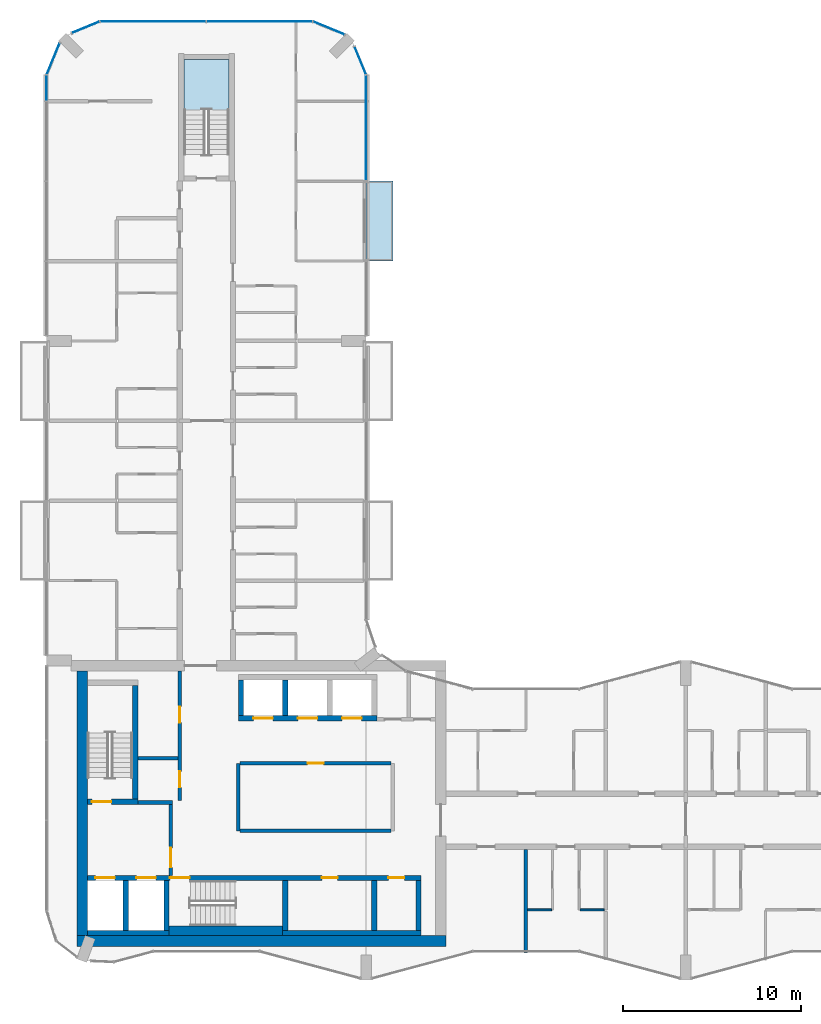
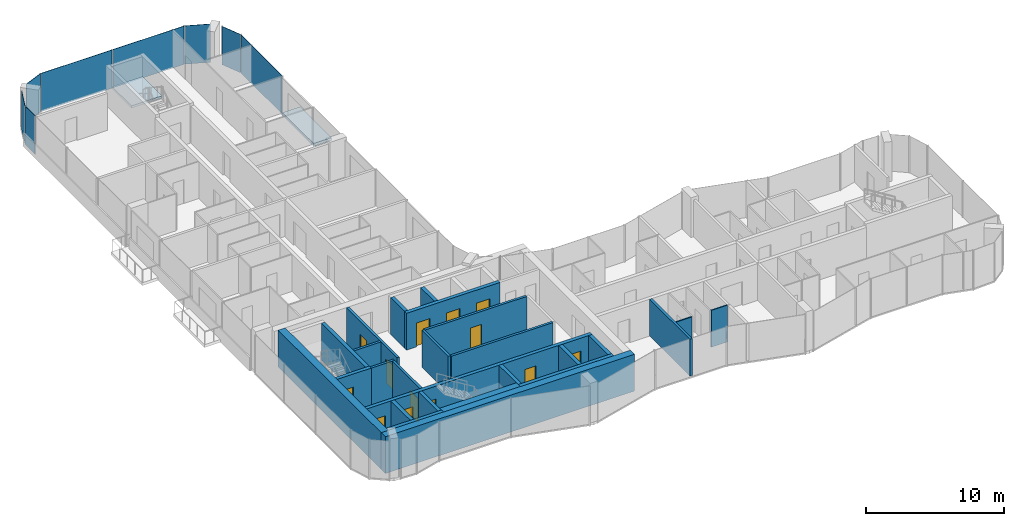
# One storey, part 9 of 17: 26 walls, 13 doors, 8 plates, 2 slabs, 13 openings, 8 elements without a shape of their own.
"""IFC4 building model written with IfcOpenShell, lengths in metres."""

from ifc_helpers import new_model, si_unit, direction, frame, frame_2d, origin, origin_2d, place, context, subcontext, project, spatial, polyline, rectangle, outline, extrude, material, layer, layer_set, type_object, element, fill, aggregate, save


model = new_model("IFC4")

# Units and contexts
model_context = context("Model", 3, precision=1e-05, world=origin(), true_north=direction((0.0, 1.0)))
body_context = subcontext(model_context, "Body", "Model", "MODEL_VIEW")
ifc_project = project(units=[si_unit("LENGTHUNIT", "METRE"), si_unit("AREAUNIT", "SQUARE_METRE"), si_unit("VOLUMEUNIT", "CUBIC_METRE"), si_unit("PLANEANGLEUNIT", "RADIAN"), si_unit("MASSUNIT", "GRAM", prefix="KILO")], contexts=[model_context])

# Site, building, storey
site_placement = place(None, origin())
site = spatial("IfcSite", under=ifc_project, at=site_placement, CompositionType="ELEMENT")
building_placement = place(site_placement, origin())
building = spatial("IfcBuilding", under=site, at=building_placement, Name="Plateau Cross Towers", CompositionType="ELEMENT")
storey_placement = place(building_placement, frame((0.0, 0.0, 146.39990234375)))
storey = spatial("IfcBuildingStorey", under=building, at=storey_placement, Name="L37", CompositionType="ELEMENT", Elevation=146.39990234375)

# Slab
ifc_material_1 = material(Name="Concrete C40/50", Category="concrete")
ifc_layer_1 = layer(ifc_material_1, 0.25)
ifc_layer_set_1 = layer_set([ifc_layer_1], Name="Concrete C40/50")
slab_type_1 = type_object("IfcSlabType", Name="Balcony slab 250", PredefinedType="FLOOR", material=ifc_layer_set_1)
slab_1_placement = place(storey_placement, frame((0.0, 0.0, -0.25)))
element("IfcSlab", 1, at=slab_1_placement, inside=storey, type_object=slab_type_1, Name="Balcony slab A-BAL-L37-05", PredefinedType="FLOOR", context=body_context, shape_type="SweptSolid", body=[
    extrude(outline(polyline([(19.5, 40.5), (19.5, 45.0), (18.0, 45.0), (18.0, 40.5), (19.5, 40.5)])), origin(), (0.0, 0.0, 1.0), 0.25),
])

# Curtain wall, plate
ifc_material_2 = material(Name="Dark low-iron glass", Category="glass")
ifc_layer_2 = layer(ifc_material_2, 0.239990234375)
ifc_layer_set_2 = layer_set([ifc_layer_2], Name="Dark low-iron glass")
curtain_wall_type = type_object("IfcCurtainWallType", Name="Curtain wall flush unitised CW-B", PredefinedType="NOTDEFINED", material=ifc_layer_set_2)
curtain_wall_1_placement = place(storey_placement, origin())
curtain_wall_1 = element("IfcCurtainWall", 2, at=curtain_wall_1_placement, inside=storey, type_object=curtain_wall_type, Name="ENV/A/L37/A180_450", PredefinedType="NOTDEFINED")
ifc_layer_3 = layer(ifc_material_2, 0.031982421875)
ifc_layer_set_3 = layer_set([ifc_layer_3], Name="Dark low-iron glass")
plate_type = type_object("IfcPlateType", Name="Glass panel 32 flush unitised", PredefinedType="CURTAIN_PANEL", material=ifc_layer_set_3)
plate_1_placement = place(storey_placement, frame((18.0, 48.0048828125, -0.1298828125), z_axis=(0.0, 0.0, 1.0), x_axis=(0.0, 1.0, 0.0)))
plate_1 = element("IfcPlate", 3, at=plate_1_placement, type_object=plate_type, Name="CW-B panel 1", PredefinedType="CURTAIN_PANEL", context=body_context, shape_type="SweptSolid", body=[
    extrude(rectangle(XDim=5.929931640625, YDim=0.031982421875, at=origin_2d()), origin(), (0.0, 0.0, 1.0), 3.3798828125),
])
aggregate(curtain_wall_1, [plate_1])

curtain_wall_2_placement = place(storey_placement, origin())
curtain_wall_2 = element("IfcCurtainWall", 4, at=curtain_wall_2_placement, inside=storey, type_object=curtain_wall_type, Name="ENV/A/L37/A180_510", PredefinedType="NOTDEFINED")
plate_2_placement = place(storey_placement, frame((17.66943359375, 51.79833984375, -0.1298828125), z_axis=(0.0, 0.0, 1.0), x_axis=(-0.382683612978, 0.923879457699, 0.0)))
plate_2 = element("IfcPlate", 5, at=plate_2_placement, type_object=plate_type, Name="CW-B panel 1", PredefinedType="CURTAIN_PANEL", context=body_context, shape_type="SweptSolid", body=[
    extrude(rectangle(XDim=1.668212890625, YDim=0.031982421875, at=origin_2d()), origin(), (0.0, 0.0, 1.0), 3.3798828125),
])
aggregate(curtain_wall_2, [plate_2])

curtain_wall_3_placement = place(storey_placement, origin())
curtain_wall_3 = element("IfcCurtainWall", 6, at=curtain_wall_3_placement, inside=storey, type_object=curtain_wall_type, Name="ENV/A/L37/A168_533", PredefinedType="NOTDEFINED")
plate_3_placement = place(storey_placement, frame((15.90283203125, 53.6259765625, -0.1298828125), z_axis=(0.0, 0.0, 1.0), x_axis=(-0.923879457699, 0.382683612978, 0.0)))
plate_3 = element("IfcPlate", 7, at=plate_3_placement, type_object=plate_type, Name="CW-B panel 1", PredefinedType="CURTAIN_PANEL", context=body_context, shape_type="SweptSolid", body=[
    extrude(rectangle(XDim=1.894775390625, YDim=0.031982421875, at=origin_2d()), origin(), (0.0, 0.0, 1.0), 3.3798828125),
])
aggregate(curtain_wall_3, [plate_3])

# Curtain wall, plates
curtain_wall_4_placement = place(storey_placement, origin())
curtain_wall_4 = element("IfcCurtainWall", 8, at=curtain_wall_4_placement, inside=storey, type_object=curtain_wall_type, Name="ENV/A/L37/A150_540", PredefinedType="NOTDEFINED")
plate_4_placement = place(storey_placement, frame((12.0, 54.0, -0.1298828125), z_axis=(0.0, 0.0, 1.0), x_axis=(-1.0, 0.0, 0.0)))
plate_4 = element("IfcPlate", 9, at=plate_4_placement, type_object=plate_type, Name="CW-B panel 1", PredefinedType="CURTAIN_PANEL", context=body_context, shape_type="SweptSolid", body=[
    extrude(rectangle(XDim=5.93994140625, YDim=0.031982421875, at=origin_2d()), origin(), (0.0, 0.0, 1.0), 3.3798828125),
])
plate_5_placement = place(storey_placement, frame((6.0, 54.0, -0.1298828125), z_axis=(0.0, 0.0, 1.0), x_axis=(-1.0, 0.0, 0.0)))
plate_5 = element("IfcPlate", 10, at=plate_5_placement, type_object=plate_type, Name="CW-B panel 2", PredefinedType="CURTAIN_PANEL", context=body_context, shape_type="SweptSolid", body=[
    extrude(rectangle(XDim=5.93994140625, YDim=0.031982421875, at=origin_2d()), origin(), (0.0, 0.0, 1.0), 3.3798828125),
])
aggregate(curtain_wall_4, [plate_4, plate_5])

# Curtain wall, plate
curtain_wall_5_placement = place(storey_placement, origin())
curtain_wall_5 = element("IfcCurtainWall", 11, at=curtain_wall_5_placement, inside=storey, type_object=curtain_wall_type, Name="ENV/A/L37/A30_540", PredefinedType="NOTDEFINED")
plate_6_placement = place(storey_placement, frame((2.20166015625, 53.66943359375, -0.1298828125), z_axis=(0.0, 0.0, 1.0), x_axis=(-0.923879457699, -0.382683612978, 0.0)))
plate_6 = element("IfcPlate", 12, at=plate_6_placement, type_object=plate_type, Name="CW-B panel 1", PredefinedType="CURTAIN_PANEL", context=body_context, shape_type="SweptSolid", body=[
    extrude(rectangle(XDim=1.668212890625, YDim=0.031982421875, at=origin_2d()), origin(), (0.0, 0.0, 1.0), 3.3798828125),
])
aggregate(curtain_wall_5, [plate_6])

curtain_wall_6_placement = place(storey_placement, origin())
curtain_wall_6 = element("IfcCurtainWall", 13, at=curtain_wall_6_placement, inside=storey, type_object=curtain_wall_type, Name="ENV/A/L37/A7_528", PredefinedType="NOTDEFINED")
plate_7_placement = place(storey_placement, frame((0.3740234375, 51.90283203125, -0.1298828125), z_axis=(0.0, 0.0, 1.0), x_axis=(-0.382683612978, -0.923879457699, 0.0)))
plate_7 = element("IfcPlate", 14, at=plate_7_placement, type_object=plate_type, Name="CW-B panel 1", PredefinedType="CURTAIN_PANEL", context=body_context, shape_type="SweptSolid", body=[
    extrude(rectangle(XDim=1.894775390625, YDim=0.031982421875, at=origin_2d()), origin(), (0.0, 0.0, 1.0), 3.3798828125),
])
aggregate(curtain_wall_6, [plate_7])

curtain_wall_7_placement = place(storey_placement, origin())
curtain_wall_7 = element("IfcCurtainWall", 15, at=curtain_wall_7_placement, inside=storey, type_object=curtain_wall_type, Name="ENV/A/L37/A0_510", PredefinedType="NOTDEFINED")
plate_8_placement = place(storey_placement, frame((0.0, 50.25, -0.1298828125), z_axis=(0.0, 0.0, 1.0), x_axis=(0.0, -1.0, 0.0)))
plate_8 = element("IfcPlate", 16, at=plate_8_placement, type_object=plate_type, Name="CW-B panel 1", PredefinedType="CURTAIN_PANEL", context=body_context, shape_type="SweptSolid", body=[
    extrude(rectangle(XDim=1.43994140625, YDim=0.031982421875, at=origin_2d()), origin(), (0.0, 0.0, 1.0), 3.3798828125),
])
aggregate(curtain_wall_7, [plate_8])

# Stair, slab
stair_type = type_object("IfcStairType", Name="ST-TWR", PredefinedType="HALF_TURN_STAIR", material=ifc_material_1)
stair_placement = place(storey_placement, origin())
stair = element("IfcStair", 17, at=stair_placement, inside=storey, type_object=stair_type, Name="L37 Protected Exit Stair N", PredefinedType="HALF_TURN_STAIR")
ifc_layer_4 = layer(ifc_material_1, 0.199951171875)
ifc_layer_set_4 = layer_set([ifc_layer_4], Name="Concrete C40/50")
slab_type_2 = type_object("IfcSlabType", Name="SL-LANDING", PredefinedType="LANDING", material=ifc_layer_set_4)
slab_2_placement = place(storey_placement, frame((0.0, 0.0, 1.550048828125)))
slab_2 = element("IfcSlab", 18, at=slab_2_placement, type_object=slab_type_2, Name="ES-N landing 1", PredefinedType="LANDING", context=body_context, shape_type="SweptSolid", body=[
    extrude(outline(polyline([(10.27490234375, 49.02001953125), (10.27490234375, 51.85009765625), (7.72509765625, 51.85009765625), (7.72509765625, 49.02001953125), (10.27490234375, 49.02001953125)])), origin(), (0.0, 0.0, 1.0), 0.199951171875),
])
aggregate(stair, [slab_2])

# Wall, opening, door
ifc_material_3 = material(Name="Concrete block, plastered both sides", Category="concrete")
ifc_layer_5 = layer(ifc_material_3, 0.199951171875)
ifc_layer_set_5 = layer_set([ifc_layer_5], Name="Concrete block, plastered both sides")
wall_type_1 = type_object("IfcWallType", Name="Core partition 200", PredefinedType="PARTITIONING", material=ifc_layer_set_5)
wall_1_placement = place(storey_placement, frame((7.0, 5.89990234375, 0.0), z_axis=(0.0, 0.0, 1.0), x_axis=(0.0, 1.0, 0.0)))
wall_1 = element("IfcWall", 19, at=wall_1_placement, inside=storey, type_object=wall_type_1, Name="Core partition", PredefinedType="PARTITIONING", context=body_context, shape_type="SweptSolid", body=[
    extrude(rectangle(XDim=4.0, YDim=0.199951171875, at=frame_2d((2.0, 0.0))), origin(), (0.0, 0.0, 1.0), 3.25),
])
opening_1_placement = place(wall_1_placement, frame((0.449951171875, 0.0, 0.0)))
opening_1 = element("IfcOpeningElement", 20, at=opening_1_placement, cuts=wall_1, Name="Opening FFD", PredefinedType="OPENING", context=body_context, shape_type="SweptSolid", body=[
    extrude(rectangle(XDim=1.10009765625, YDim=2.10009765625, at=frame_2d((0.550048828125, 1.050048828125))), frame((0.0, 0.10986328125, 0.0), z_axis=(0.0, -1.0, 0.0), x_axis=(1.0, 0.0, 0.0)), (0.0, 0.0, 1.0), 0.219970703125),
])
ifc_material_4 = material(Name="Steel, fire-resisting leaf", Category="steel")
door_type_1 = type_object("IfcDoorType", Name="Firefighting lobby door 1100", OperationType="NOTDEFINED", PredefinedType="DOOR", material=ifc_material_4)
door_1_placement = place(opening_1_placement, origin())
door_1 = element("IfcDoor", 21, at=door_1_placement, inside=storey, type_object=door_type_1, Name="Firefighting lobby door FFD", OperationType="SINGLE_SWING_LEFT", OverallHeight=2.10009765625, OverallWidth=1.10009765625, PredefinedType="DOOR", context=body_context, shape_type="SweptSolid", body=[
    extrude(rectangle(XDim=1.10009765625, YDim=2.10009765625, at=frame_2d((0.550048828125, 1.050048828125))), frame((0.0, 0.02490234375, 0.0), z_axis=(0.0, -1.0, 0.0), x_axis=(1.0, 0.0, 0.0)), (0.0, 0.0, 1.0), 0.050048828125),
])
fill(opening_1, door_1)

# Walls
wall_2_placement = place(storey_placement, frame((5.14990234375, 10.0, 0.0), z_axis=(0.0, 0.0, 1.0), x_axis=(1.0, 0.0, 0.0)))
element("IfcWall", 22, at=wall_2_placement, inside=storey, type_object=wall_type_1, Name="Core partition", PredefinedType="PARTITIONING", context=body_context, shape_type="SweptSolid", body=[
    extrude(rectangle(XDim=1.9501953125, YDim=0.199951171875, at=frame_2d((0.97509765625, 0.0))), origin(), (0.0, 0.0, 1.0), 3.25),
])
wall_3_placement = place(storey_placement, frame((10.800048828125, 8.39990234375, 0.0), z_axis=(0.0, 0.0, 1.0), x_axis=(0.0, 1.0, 0.0)))
element("IfcWall", 23, at=wall_3_placement, inside=storey, type_object=wall_type_1, Name="Core partition", PredefinedType="PARTITIONING", context=body_context, shape_type="SweptSolid", body=[
    extrude(rectangle(XDim=3.800048828125, YDim=0.199951171875, at=frame_2d((1.89990234375, 0.0))), origin(), (0.0, 0.0, 1.0), 3.25),
])
wall_4_placement = place(storey_placement, frame((10.89990234375, 8.39990234375, 0.0), z_axis=(0.0, 0.0, 1.0), x_axis=(1.0, 0.0, 0.0)))
element("IfcWall", 24, at=wall_4_placement, inside=storey, type_object=wall_type_1, Name="Core partition", PredefinedType="PARTITIONING", context=body_context, shape_type="SweptSolid", body=[
    extrude(rectangle(XDim=8.5, YDim=0.199951171875, at=frame_2d((4.25, 0.0))), origin(), (0.0, 0.0, 1.0), 3.25),
])

# Wall, opening, door
wall_5_placement = place(storey_placement, frame((10.89990234375, 12.199951171875, 0.0), z_axis=(0.0, 0.0, 1.0), x_axis=(1.0, 0.0, 0.0)))
wall_5 = element("IfcWall", 25, at=wall_5_placement, inside=storey, type_object=wall_type_1, Name="Core partition", PredefinedType="PARTITIONING", context=body_context, shape_type="SweptSolid", body=[
    extrude(rectangle(XDim=8.5, YDim=0.199951171875, at=frame_2d((4.25, 0.0))), origin(), (0.0, 0.0, 1.0), 3.25),
])
opening_2_placement = place(wall_5_placement, frame((3.800048828125, 0.0, 0.0)))
opening_2 = element("IfcOpeningElement", 26, at=opening_2_placement, cuts=wall_5, Name="Opening RD1", PredefinedType="OPENING", context=body_context, shape_type="SweptSolid", body=[
    extrude(rectangle(XDim=0.89990234375, YDim=2.10009765625, at=frame_2d((0.449951171875, 1.050048828125))), frame((0.0, 0.10986328125, 0.0), z_axis=(0.0, -1.0, 0.0), x_axis=(1.0, 0.0, 0.0)), (0.0, 0.0, 1.0), 0.219970703125),
])
ifc_material_5 = material(Name="Timber, fire-resisting leaf", Category="wood")
door_type_2 = type_object("IfcDoorType", Name="Core service door 900", OperationType="NOTDEFINED", PredefinedType="DOOR", material=ifc_material_5)
door_2_placement = place(opening_2_placement, origin())
door_2 = element("IfcDoor", 27, at=door_2_placement, inside=storey, type_object=door_type_2, Name="Core service door RD1", OperationType="SINGLE_SWING_LEFT", OverallHeight=2.10009765625, OverallWidth=0.89990234375, PredefinedType="DOOR", context=body_context, shape_type="SweptSolid", body=[
    extrude(rectangle(XDim=0.89990234375, YDim=2.10009765625, at=frame_2d((0.449951171875, 1.050048828125))), frame((0.0, 0.02490234375, 0.0), z_axis=(0.0, -1.0, 0.0), x_axis=(1.0, 0.0, 0.0)), (0.0, 0.0, 1.0), 0.050048828125),
])
fill(opening_2, door_2)

# Wall, openings, doors
wall_6_placement = place(storey_placement, frame((7.5, 10.10009765625, 0.0), z_axis=(0.0, 0.0, 1.0), x_axis=(0.0, 1.0, 0.0)))
wall_6 = element("IfcWall", 28, at=wall_6_placement, inside=storey, type_object=wall_type_1, Name="Core partition", PredefinedType="PARTITIONING", context=body_context, shape_type="SweptSolid", body=[
    extrude(rectangle(XDim=7.2998046875, YDim=0.199951171875, at=frame_2d((3.64990234375, 0.0))), origin(), (0.0, 0.0, 1.0), 3.25),
])
opening_3_placement = place(wall_6_placement, frame((0.75, 0.0, 0.0)))
opening_3 = element("IfcOpeningElement", 29, at=opening_3_placement, cuts=wall_6, Name="Opening RD1", PredefinedType="OPENING", context=body_context, shape_type="SweptSolid", body=[
    extrude(rectangle(XDim=0.89990234375, YDim=2.10009765625, at=frame_2d((0.449951171875, 1.050048828125))), frame((0.0, 0.10986328125, 0.0), z_axis=(0.0, -1.0, 0.0), x_axis=(1.0, 0.0, 0.0)), (0.0, 0.0, 1.0), 0.219970703125),
])
opening_4_placement = place(wall_6_placement, frame((4.39990234375, 0.0, 0.0)))
opening_4 = element("IfcOpeningElement", 30, at=opening_4_placement, cuts=wall_6, Name="Opening RD1", PredefinedType="OPENING", context=body_context, shape_type="SweptSolid", body=[
    extrude(rectangle(XDim=0.89990234375, YDim=2.10009765625, at=frame_2d((0.449951171875, 1.050048828125))), frame((0.0, 0.10986328125, 0.0), z_axis=(0.0, -1.0, 0.0), x_axis=(1.0, 0.0, 0.0)), (0.0, 0.0, 1.0), 0.219970703125),
])
door_3_placement = place(opening_3_placement, origin())
door_3 = element("IfcDoor", 31, at=door_3_placement, inside=storey, type_object=door_type_2, Name="Core service door RD1", OperationType="SINGLE_SWING_RIGHT", OverallHeight=2.10009765625, OverallWidth=0.89990234375, PredefinedType="DOOR", context=body_context, shape_type="SweptSolid", body=[
    extrude(rectangle(XDim=0.89990234375, YDim=2.10009765625, at=frame_2d((0.449951171875, 1.050048828125))), frame((0.0, 0.02490234375, 0.0), z_axis=(0.0, -1.0, 0.0), x_axis=(1.0, 0.0, 0.0)), (0.0, 0.0, 1.0), 0.050048828125),
])
fill(opening_3, door_3)
door_4_placement = place(opening_4_placement, origin())
door_4 = element("IfcDoor", 32, at=door_4_placement, inside=storey, type_object=door_type_2, Name="Core service door RD1", OperationType="SINGLE_SWING_RIGHT", OverallHeight=2.10009765625, OverallWidth=0.89990234375, PredefinedType="DOOR", context=body_context, shape_type="SweptSolid", body=[
    extrude(rectangle(XDim=0.89990234375, YDim=2.10009765625, at=frame_2d((0.449951171875, 1.050048828125))), frame((0.0, 0.02490234375, 0.0), z_axis=(0.0, -1.0, 0.0), x_axis=(1.0, 0.0, 0.0)), (0.0, 0.0, 1.0), 0.050048828125),
])
fill(opening_4, door_4)

# Walls
wall_7_placement = place(storey_placement, frame((5.14990234375, 12.5, 0.0), z_axis=(0.0, 0.0, 1.0), x_axis=(1.0, 0.0, 0.0)))
element("IfcWall", 33, at=wall_7_placement, inside=storey, type_object=wall_type_1, Name="Core partition", PredefinedType="PARTITIONING", context=body_context, shape_type="SweptSolid", body=[
    extrude(rectangle(XDim=2.25, YDim=0.199951171875, at=frame_2d((1.125, 0.0))), origin(), (0.0, 0.0, 1.0), 3.25),
])
ifc_material_6 = material(Name="Concrete C60/75", Category="concrete")
ifc_layer_6 = layer(ifc_material_6, 0.300048828125)
ifc_layer_set_6 = layer_set([ifc_layer_6], Name="Concrete C60/75")
wall_type_2 = type_object("IfcWallType", Name="Core shaft wall 300", PredefinedType="SHEAR", material=ifc_layer_set_6)
wall_8_placement = place(storey_placement, frame((2.300048828125, 2.64990234375, 0.0), z_axis=(0.0, 0.0, 1.0), x_axis=(1.0, 0.0, 0.0)))
element("IfcWall", 34, at=wall_8_placement, inside=storey, type_object=wall_type_2, Name="A-sb-back1@L37", PredefinedType="SHEAR", context=body_context, shape_type="SweptSolid", body=[
    extrude(rectangle(XDim=4.599853515625, YDim=0.300048828125, at=frame_2d((2.2998046875, 0.0))), origin(), (0.0, 0.0, 1.0), 3.25),
])
wall_9_placement = place(storey_placement, frame((13.300048828125, 2.64990234375, 0.0), z_axis=(0.0, 0.0, 1.0), x_axis=(1.0, 0.0, 0.0)))
element("IfcWall", 35, at=wall_9_placement, inside=storey, type_object=wall_type_2, Name="A-sb-back3@L37", PredefinedType="SHEAR", context=body_context, shape_type="SweptSolid", body=[
    extrude(rectangle(XDim=7.800048828125, YDim=0.300048828125, at=frame_2d((3.89990234375, 0.0))), origin(), (0.0, 0.0, 1.0), 3.25),
])
for number, where, z_axis, x_axis, name in (
    (36, (4.449951171875, 2.800048828125, 0.0), (0.0, 0.0, 1.0), (0.0, 1.0, 0.0), "A-sb-v1@L37"),
    (37, (6.75, 2.800048828125, 0.0), (0.0, 0.0, 1.0), (0.0, 1.0, 0.0), "A-sb-v2@L37"),
    (38, (13.449951171875, 2.800048828125, 0.0), (0.0, 0.0, 1.0), (0.0, 1.0, 0.0), "A-sb-v3@L37"),
    (39, (18.449951171875, 2.800048828125, 0.0), (0.0, 0.0, 1.0), (0.0, 1.0, 0.0), "A-sb-v5@L37"),
    (40, (20.949951171875, 2.800048828125, 0.0), (0.0, 0.0, 1.0), (0.0, 1.0, 0.0), "A-sb-v6@L37"),
):
    element("IfcWall", number, at=place(storey_placement, frame(where, z_axis=z_axis, x_axis=x_axis)), inside=storey, type_object=wall_type_2, Name=name, PredefinedType="SHEAR", context=body_context, shape_type="SweptSolid", body=[
        extrude(rectangle(XDim=2.800048828125, YDim=0.300048828125, at=frame_2d((1.39990234375, 0.0))), origin(), (0.0, 0.0, 1.0), 3.25),
    ])

# Wall, openings, doors
wall_10_placement = place(storey_placement, frame((2.300048828125, 5.75, 0.0), z_axis=(0.0, 0.0, 1.0), x_axis=(1.0, 0.0, 0.0)))
wall_10 = element("IfcWall", 41, at=wall_10_placement, inside=storey, type_object=wall_type_2, Name="A-sb-front@L37", PredefinedType="SHEAR", context=body_context, shape_type="SweptSolid", body=[
    extrude(rectangle(XDim=18.800048828125, YDim=0.300048828125, at=frame_2d((9.39990234375, 0.0))), origin(), (0.0, 0.0, 1.0), 3.25),
])
opening_5_placement = place(wall_10_placement, frame((4.64990234375, 0.0, 0.0)))
opening_5 = element("IfcOpeningElement", 42, at=opening_5_placement, cuts=wall_10, Name="Opening SD", PredefinedType="OPENING", context=body_context, shape_type="SweptSolid", body=[
    extrude(rectangle(XDim=1.10009765625, YDim=2.10009765625, at=frame_2d((0.550048828125, 1.050048828125))), frame((0.0, 0.159912109375, 0.0), z_axis=(0.0, -1.0, 0.0), x_axis=(1.0, 0.0, 0.0)), (0.0, 0.0, 1.0), 0.320068359375),
])
opening_6_placement = place(wall_10_placement, frame((0.449951171875, 0.0, 0.0)))
opening_6 = element("IfcOpeningElement", 43, at=opening_6_placement, cuts=wall_10, Name="Opening LD", PredefinedType="OPENING", context=body_context, shape_type="SweptSolid", body=[
    extrude(rectangle(XDim=1.10009765625, YDim=2.10009765625, at=frame_2d((0.550048828125, 1.050048828125))), frame((0.0, 0.159912109375, 0.0), z_axis=(0.0, -1.0, 0.0), x_axis=(1.0, 0.0, 0.0)), (0.0, 0.0, 1.0), 0.320068359375),
])
opening_7_placement = place(wall_10_placement, frame((2.75, 0.0, 0.0)))
opening_7 = element("IfcOpeningElement", 44, at=opening_7_placement, cuts=wall_10, Name="Opening LD", PredefinedType="OPENING", context=body_context, shape_type="SweptSolid", body=[
    extrude(rectangle(XDim=1.10009765625, YDim=2.10009765625, at=frame_2d((0.550048828125, 1.050048828125))), frame((0.0, 0.159912109375, 0.0), z_axis=(0.0, -1.0, 0.0), x_axis=(1.0, 0.0, 0.0)), (0.0, 0.0, 1.0), 0.320068359375),
])
opening_8_placement = place(wall_10_placement, frame((13.199951171875, 0.0, 0.0)))
opening_8 = element("IfcOpeningElement", 45, at=opening_8_placement, cuts=wall_10, Name="Opening RD2", PredefinedType="OPENING", context=body_context, shape_type="SweptSolid", body=[
    extrude(rectangle(XDim=0.89990234375, YDim=2.10009765625, at=frame_2d((0.449951171875, 1.050048828125))), frame((0.0, 0.159912109375, 0.0), z_axis=(0.0, -1.0, 0.0), x_axis=(1.0, 0.0, 0.0)), (0.0, 0.0, 1.0), 0.320068359375),
])
opening_9_placement = place(wall_10_placement, frame((16.949951171875, 0.0, 0.0)))
opening_9 = element("IfcOpeningElement", 46, at=opening_9_placement, cuts=wall_10, Name="Opening RD2", PredefinedType="OPENING", context=body_context, shape_type="SweptSolid", body=[
    extrude(rectangle(XDim=0.89990234375, YDim=2.10009765625, at=frame_2d((0.449951171875, 1.050048828125))), frame((0.0, 0.159912109375, 0.0), z_axis=(0.0, -1.0, 0.0), x_axis=(1.0, 0.0, 0.0)), (0.0, 0.0, 1.0), 0.320068359375),
])
door_type_3 = type_object("IfcDoorType", Name="Core riser door 900", OperationType="NOTDEFINED", PredefinedType="DOOR", material=ifc_material_4)
door_5_placement = place(opening_8_placement, origin())
door_5 = element("IfcDoor", 47, at=door_5_placement, inside=storey, type_object=door_type_3, Name="Core riser door RD2", OperationType="SINGLE_SWING_LEFT", OverallHeight=2.10009765625, OverallWidth=0.89990234375, PredefinedType="DOOR", context=body_context, shape_type="SweptSolid", body=[
    extrude(rectangle(XDim=0.89990234375, YDim=2.10009765625, at=frame_2d((0.449951171875, 1.050048828125))), frame((0.0, 0.02490234375, 0.0), z_axis=(0.0, -1.0, 0.0), x_axis=(1.0, 0.0, 0.0)), (0.0, 0.0, 1.0), 0.050048828125),
])
fill(opening_8, door_5)
door_6_placement = place(opening_9_placement, origin())
door_6 = element("IfcDoor", 48, at=door_6_placement, inside=storey, type_object=door_type_3, Name="Core riser door RD2", OperationType="SINGLE_SWING_LEFT", OverallHeight=2.10009765625, OverallWidth=0.89990234375, PredefinedType="DOOR", context=body_context, shape_type="SweptSolid", body=[
    extrude(rectangle(XDim=0.89990234375, YDim=2.10009765625, at=frame_2d((0.449951171875, 1.050048828125))), frame((0.0, 0.02490234375, 0.0), z_axis=(0.0, -1.0, 0.0), x_axis=(1.0, 0.0, 0.0)), (0.0, 0.0, 1.0), 0.050048828125),
])
fill(opening_9, door_6)
ifc_material_7 = material(Name="Stainless steel, fire-resisting sliding leaves", Category="steel")
door_type_4 = type_object("IfcDoorType", Name="Lift landing door 1100", OperationType="NOTDEFINED", PredefinedType="DOOR", material=ifc_material_7)
door_7_placement = place(opening_6_placement, origin())
door_7 = element("IfcDoor", 49, at=door_7_placement, inside=storey, type_object=door_type_4, Name="Lift landing door LD", OperationType="DOUBLE_DOOR_SLIDING", OverallHeight=2.10009765625, OverallWidth=1.10009765625, PredefinedType="DOOR", context=body_context, shape_type="SweptSolid", body=[
    extrude(rectangle(XDim=1.10009765625, YDim=2.10009765625, at=frame_2d((0.550048828125, 1.050048828125))), frame((0.0, 0.02490234375, 0.0), z_axis=(0.0, -1.0, 0.0), x_axis=(1.0, 0.0, 0.0)), (0.0, 0.0, 1.0), 0.050048828125),
])
fill(opening_6, door_7)
door_8_placement = place(opening_7_placement, origin())
door_8 = element("IfcDoor", 50, at=door_8_placement, inside=storey, type_object=door_type_4, Name="Lift landing door LD", OperationType="DOUBLE_DOOR_SLIDING", OverallHeight=2.10009765625, OverallWidth=1.10009765625, PredefinedType="DOOR", context=body_context, shape_type="SweptSolid", body=[
    extrude(rectangle(XDim=1.10009765625, YDim=2.10009765625, at=frame_2d((0.550048828125, 1.050048828125))), frame((0.0, 0.02490234375, 0.0), z_axis=(0.0, -1.0, 0.0), x_axis=(1.0, 0.0, 0.0)), (0.0, 0.0, 1.0), 0.050048828125),
])
fill(opening_7, door_8)
door_type_5 = type_object("IfcDoorType", Name="Stair door 1100", OperationType="NOTDEFINED", PredefinedType="DOOR", material=ifc_material_4)
door_9_placement = place(opening_5_placement, origin())
door_9 = element("IfcDoor", 51, at=door_9_placement, inside=storey, type_object=door_type_5, Name="Stair door SD", OperationType="SINGLE_SWING_LEFT", OverallHeight=2.10009765625, OverallWidth=1.10009765625, PredefinedType="DOOR", context=body_context, shape_type="SweptSolid", body=[
    extrude(rectangle(XDim=1.10009765625, YDim=2.10009765625, at=frame_2d((0.550048828125, 1.050048828125))), frame((0.0, 0.02490234375, 0.0), z_axis=(0.0, -1.0, 0.0), x_axis=(1.0, 0.0, 0.0)), (0.0, 0.0, 1.0), 0.050048828125),
])
fill(opening_5, door_9)

# Wall, opening, door
wall_11_placement = place(storey_placement, frame((2.300048828125, 10.050048828125, 0.0), z_axis=(0.0, 0.0, 1.0), x_axis=(1.0, 0.0, 0.0)))
wall_11 = element("IfcWall", 52, at=wall_11_placement, inside=storey, type_object=wall_type_2, Name="A-st1-S@L37", PredefinedType="SHEAR", context=body_context, shape_type="SweptSolid", body=[
    extrude(rectangle(XDim=2.849853515625, YDim=0.300048828125, at=frame_2d((1.4248046875, 0.0))), origin(), (0.0, 0.0, 1.0), 3.25),
])
opening_10_placement = place(wall_11_placement, frame((0.25, 0.0, 0.0)))
opening_10 = element("IfcOpeningElement", 53, at=opening_10_placement, cuts=wall_11, Name="Opening SD", PredefinedType="OPENING", context=body_context, shape_type="SweptSolid", body=[
    extrude(rectangle(XDim=1.10009765625, YDim=2.10009765625, at=frame_2d((0.550048828125, 1.050048828125))), frame((0.0, 0.159912109375, 0.0), z_axis=(0.0, -1.0, 0.0), x_axis=(1.0, 0.0, 0.0)), (0.0, 0.0, 1.0), 0.320068359375),
])
door_10_placement = place(opening_10_placement, origin())
door_10 = element("IfcDoor", 54, at=door_10_placement, inside=storey, type_object=door_type_5, Name="Stair door SD", OperationType="SINGLE_SWING_RIGHT", OverallHeight=2.10009765625, OverallWidth=1.10009765625, PredefinedType="DOOR", context=body_context, shape_type="SweptSolid", body=[
    extrude(rectangle(XDim=1.10009765625, YDim=2.10009765625, at=frame_2d((0.550048828125, 1.050048828125))), frame((0.0, 0.02490234375, 0.0), z_axis=(0.0, -1.0, 0.0), x_axis=(1.0, 0.0, 0.0)), (0.0, 0.0, 1.0), 0.050048828125),
])
fill(opening_10, door_10)

# Wall
wall_12_placement = place(storey_placement, frame((5.0, 10.199951171875, 0.0), z_axis=(0.0, 0.0, 1.0), x_axis=(0.0, 1.0, 0.0)))
element("IfcWall", 55, at=wall_12_placement, inside=storey, type_object=wall_type_2, Name="A-st1-E@L37", PredefinedType="SHEAR", context=body_context, shape_type="SweptSolid", body=[
    extrude(rectangle(XDim=6.400146484375, YDim=0.300048828125, at=frame_2d((3.2001953125, 0.0))), origin(), (0.0, 0.0, 1.0), 3.25),
])

# Wall, openings, doors
wall_13_placement = place(storey_placement, frame((10.800048828125, 14.75, 0.0), z_axis=(0.0, 0.0, 1.0), x_axis=(1.0, 0.0, 0.0)))
wall_13 = element("IfcWall", 56, at=wall_13_placement, inside=storey, type_object=wall_type_2, Name="A-nb-front@L37", PredefinedType="SHEAR", context=body_context, shape_type="SweptSolid", body=[
    extrude(rectangle(XDim=7.800048828125, YDim=0.300048828125, at=frame_2d((3.89990234375, 0.0))), origin(), (0.0, 0.0, 1.0), 3.25),
])
opening_11_placement = place(wall_13_placement, frame((0.85009765625, 0.0, 0.0)))
opening_11 = element("IfcOpeningElement", 57, at=opening_11_placement, cuts=wall_13, Name="Opening LD", PredefinedType="OPENING", context=body_context, shape_type="SweptSolid", body=[
    extrude(rectangle(XDim=1.10009765625, YDim=2.10009765625, at=frame_2d((0.550048828125, 1.050048828125))), frame((0.0, 0.159912109375, 0.0), z_axis=(0.0, -1.0, 0.0), x_axis=(1.0, 0.0, 0.0)), (0.0, 0.0, 1.0), 0.320068359375),
])
opening_12_placement = place(wall_13_placement, frame((3.35009765625, 0.0, 0.0)))
opening_12 = element("IfcOpeningElement", 58, at=opening_12_placement, cuts=wall_13, Name="Opening LD", PredefinedType="OPENING", context=body_context, shape_type="SweptSolid", body=[
    extrude(rectangle(XDim=1.10009765625, YDim=2.10009765625, at=frame_2d((0.550048828125, 1.050048828125))), frame((0.0, 0.159912109375, 0.0), z_axis=(0.0, -1.0, 0.0), x_axis=(1.0, 0.0, 0.0)), (0.0, 0.0, 1.0), 0.320068359375),
])
opening_13_placement = place(wall_13_placement, frame((5.85009765625, 0.0, 0.0)))
opening_13 = element("IfcOpeningElement", 59, at=opening_13_placement, cuts=wall_13, Name="Opening LD", PredefinedType="OPENING", context=body_context, shape_type="SweptSolid", body=[
    extrude(rectangle(XDim=1.10009765625, YDim=2.10009765625, at=frame_2d((0.550048828125, 1.050048828125))), frame((0.0, 0.159912109375, 0.0), z_axis=(0.0, -1.0, 0.0), x_axis=(1.0, 0.0, 0.0)), (0.0, 0.0, 1.0), 0.320068359375),
])
door_11_placement = place(opening_11_placement, origin())
door_11 = element("IfcDoor", 60, at=door_11_placement, inside=storey, type_object=door_type_4, Name="Lift landing door LD", OperationType="DOUBLE_DOOR_SLIDING", OverallHeight=2.10009765625, OverallWidth=1.10009765625, PredefinedType="DOOR", context=body_context, shape_type="SweptSolid", body=[
    extrude(rectangle(XDim=1.10009765625, YDim=2.10009765625, at=frame_2d((0.550048828125, 1.050048828125))), frame((0.0, 0.02490234375, 0.0), z_axis=(0.0, -1.0, 0.0), x_axis=(1.0, 0.0, 0.0)), (0.0, 0.0, 1.0), 0.050048828125),
])
fill(opening_11, door_11)
door_12_placement = place(opening_12_placement, origin())
door_12 = element("IfcDoor", 61, at=door_12_placement, inside=storey, type_object=door_type_4, Name="Lift landing door LD", OperationType="DOUBLE_DOOR_SLIDING", OverallHeight=2.10009765625, OverallWidth=1.10009765625, PredefinedType="DOOR", context=body_context, shape_type="SweptSolid", body=[
    extrude(rectangle(XDim=1.10009765625, YDim=2.10009765625, at=frame_2d((0.550048828125, 1.050048828125))), frame((0.0, 0.02490234375, 0.0), z_axis=(0.0, -1.0, 0.0), x_axis=(1.0, 0.0, 0.0)), (0.0, 0.0, 1.0), 0.050048828125),
])
fill(opening_12, door_12)
door_13_placement = place(opening_13_placement, origin())
door_13 = element("IfcDoor", 62, at=door_13_placement, inside=storey, type_object=door_type_4, Name="Lift landing door LD", OperationType="DOUBLE_DOOR_SLIDING", OverallHeight=2.10009765625, OverallWidth=1.10009765625, PredefinedType="DOOR", context=body_context, shape_type="SweptSolid", body=[
    extrude(rectangle(XDim=1.10009765625, YDim=2.10009765625, at=frame_2d((0.550048828125, 1.050048828125))), frame((0.0, 0.02490234375, 0.0), z_axis=(0.0, -1.0, 0.0), x_axis=(1.0, 0.0, 0.0)), (0.0, 0.0, 1.0), 0.050048828125),
])
fill(opening_13, door_13)

# Walls
for number, where, z_axis, x_axis, name in (
    (63, (10.949951171875, 14.89990234375, 0.0), (0.0, 0.0, 1.0), (0.0, 1.0, 0.0), "A-nb-v1@L37"),
    (64, (13.449951171875, 14.89990234375, 0.0), (0.0, 0.0, 1.0), (0.0, 1.0, 0.0), "A-nb-v2@L37"),
):
    element("IfcWall", number, at=place(storey_placement, frame(where, z_axis=z_axis, x_axis=x_axis)), inside=storey, type_object=wall_type_2, Name=name, PredefinedType="SHEAR", context=body_context, shape_type="SweptSolid", body=[
        extrude(rectangle(XDim=2.0, YDim=0.300048828125, at=frame_2d((1.0, 0.0))), origin(), (0.0, 0.0, 1.0), 3.25),
    ])
ifc_layer_7 = layer(ifc_material_6, 0.550048828125)
ifc_layer_set_7 = layer_set([ifc_layer_7], Name="Concrete C60/75")
wall_type_3 = type_object("IfcWallType", Name="Core shaft wall 550", PredefinedType="SHEAR", material=ifc_layer_set_7)
wall_14_placement = place(storey_placement, frame((6.89990234375, 2.77490234375, 0.0), z_axis=(0.0, 0.0, 1.0), x_axis=(1.0, 0.0, 0.0)))
element("IfcWall", 65, at=wall_14_placement, inside=storey, type_object=wall_type_3, Name="A-sb-back2@L37", PredefinedType="SHEAR", context=body_context, shape_type="SweptSolid", body=[
    extrude(rectangle(XDim=6.400146484375, YDim=0.550048828125, at=frame_2d((3.2001953125, 0.0))), origin(), (0.0, 0.0, 1.0), 3.25),
])
ifc_layer_8 = layer(ifc_material_6, 0.60009765625)
ifc_layer_set_8 = layer_set([ifc_layer_8], Name="Concrete C60/75")
wall_type_4 = type_object("IfcWallType", Name="Core shell wall 600", PredefinedType="SHEAR", material=ifc_layer_set_8)
wall_15_placement = place(storey_placement, frame((1.699951171875, 2.199951171875, 0.0), z_axis=(0.0, 0.0, 1.0), x_axis=(1.0, 0.0, 0.0)))
element("IfcWall", 66, at=wall_15_placement, inside=storey, type_object=wall_type_4, Name="A-core-S@L37", PredefinedType="SHEAR", context=body_context, shape_type="SweptSolid", body=[
    extrude(rectangle(XDim=20.800048828125, YDim=0.60009765625, at=frame_2d((10.39990234375, 0.0))), origin(), (0.0, 0.0, 1.0), 3.25),
])
wall_16_placement = place(storey_placement, frame((2.0, 2.5, 0.0), z_axis=(0.0, 0.0, 1.0), x_axis=(0.0, 1.0, 0.0)))
element("IfcWall", 67, at=wall_16_placement, inside=storey, type_object=wall_type_4, Name="A-core-W@L37", PredefinedType="SHEAR", context=body_context, shape_type="SweptSolid", body=[
    extrude(rectangle(XDim=14.89990234375, YDim=0.60009765625, at=frame_2d((7.449951171875, 0.0))), origin(), (0.0, 0.0, 1.0), 3.25),
])
ifc_material_8 = material(Name="Gypsum board on steel studs", Category="steel")
ifc_layer_9 = layer(ifc_material_8, 0.10009765625)
ifc_layer_set_9 = layer_set([ifc_layer_9], Name="Gypsum board on steel studs")
wall_type_5 = type_object("IfcWallType", Name="Flat partition 100", PredefinedType="PARTITIONING", material=ifc_layer_set_9)
for number, where, z_axis, x_axis, name in (
    (68, (27.10009765625, 3.949951171875, 0.0), (0.0, 0.0, 1.0), (1.0, 0.0, 0.0), "Partition wall"),
    (69, (30.050048828125, 3.949951171875, 0.0), (0.0, 0.0, 1.0), (1.0, 0.0, 0.0), "Partition wall"),
):
    element("IfcWall", number, at=place(storey_placement, frame(where, z_axis=z_axis, x_axis=x_axis)), inside=storey, type_object=wall_type_5, Name=name, PredefinedType="PARTITIONING", context=body_context, shape_type="SweptSolid", body=[
        extrude(rectangle(XDim=1.349853515625, YDim=0.10009765625, at=frame_2d((0.6748046875, 0.0))), origin(), (0.0, 0.0, 1.0), 3.25),
    ])
ifc_material_9 = material(Name="Gypsum board on steel studs, two layers each side", Category="steel")
ifc_layer_10 = layer(ifc_material_9, 0.199951171875)
ifc_layer_set_10 = layer_set([ifc_layer_10], Name="Gypsum board on steel studs, two layers each side")
wall_type_6 = type_object("IfcWallType", Name="Flat party wall 200", PredefinedType="PARTITIONING", material=ifc_layer_set_10)
wall_17_placement = place(storey_placement, frame((27.0, 1.52685546875, 0.0), z_axis=(0.0, 0.0, 1.0), x_axis=(0.0, 1.0, 0.0)))
element("IfcWall", 70, at=wall_17_placement, inside=storey, type_object=wall_type_6, Name="Party wall", PredefinedType="PARTITIONING", context=body_context, shape_type="SweptSolid", body=[
    extrude(rectangle(XDim=5.8232421875, YDim=0.199951171875, at=frame_2d((2.91162109375, 0.0))), origin(), (0.0, 0.0, 1.0), 3.25),
])

save(model, "model.ifc")
